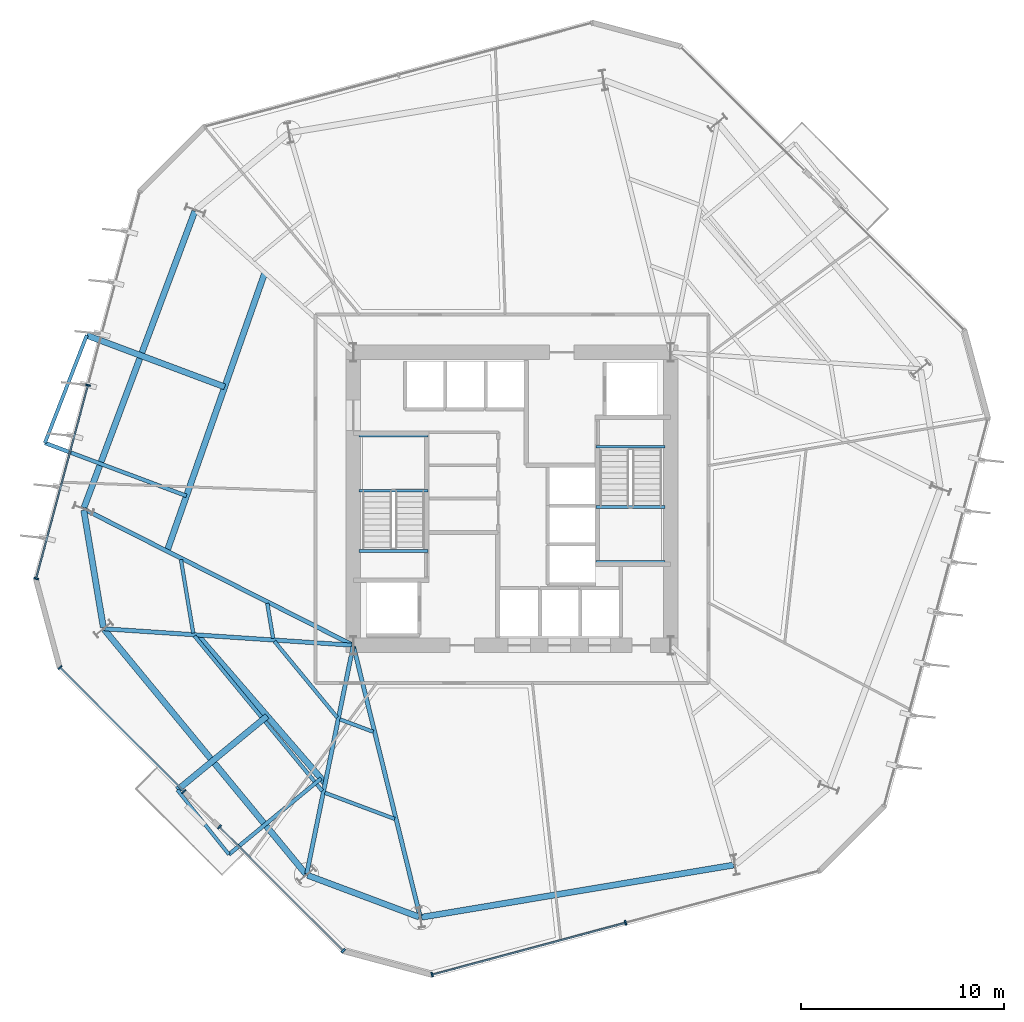
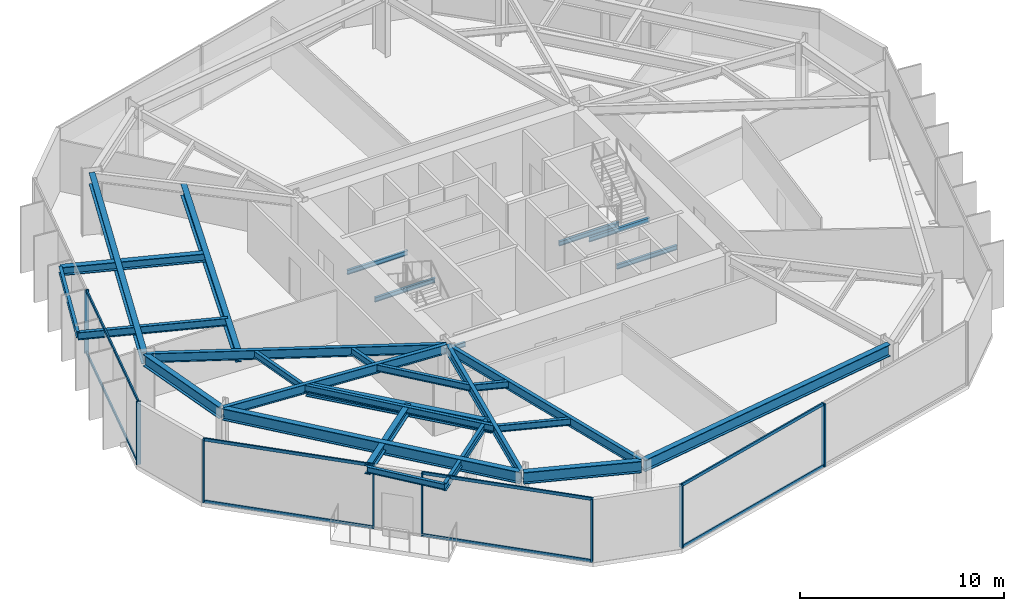
# One storey, part 2 of 10: 29 beams, 16 members, 4 elements without a shape of their own.
"""IFC4 building model written with IfcOpenShell, lengths in metres."""

from ifc_helpers import new_model, si_unit, direction, frame, origin, origin_2d, place, context, subcontext, project, spatial, rectangle, i_section, extrude, material, layer, layer_set, material_profile, profile_set, type_object, element, aggregate, save


model = new_model("IFC4")

# Units and contexts
model_context = context("Model", 3, precision=1e-05, world=origin(), true_north=direction((0.0, 1.0)))
body_context = subcontext(model_context, "Body", "Model", "MODEL_VIEW")
ifc_project = project(units=[si_unit("LENGTHUNIT", "METRE"), si_unit("AREAUNIT", "SQUARE_METRE"), si_unit("VOLUMEUNIT", "CUBIC_METRE"), si_unit("PLANEANGLEUNIT", "RADIAN"), si_unit("MASSUNIT", "GRAM", prefix="KILO")], contexts=[model_context])

# Site, building, storey
site_placement = place(None, origin())
site = spatial("IfcSite", under=ifc_project, at=site_placement, CompositionType="ELEMENT")
building_placement = place(site_placement, origin())
building = spatial("IfcBuilding", under=site, at=building_placement, Name="Kranzbogen Civic Tower", CompositionType="ELEMENT")
storey_placement = place(building_placement, frame((0.0, 0.0, 80.0)))
storey = spatial("IfcBuildingStorey", under=building, at=storey_placement, Name="L19", CompositionType="ELEMENT", Elevation=80.0)

# Beams
ifc_material_1 = material(Name="Steel S355", Category="steel")
ifc_material_profile_1 = material_profile(ifc_material_1, i_section(OverallWidth=0.18994140625, OverallDepth=0.449951171875, WebThickness=0.009521484375, FlangeThickness=0.0146484375, at=origin_2d()), Name="IPE 450")
ifc_profile_set_1 = profile_set([ifc_material_profile_1], Name="Steel S355")
beam_type_1 = type_object("IfcBeamType", Name="Braced Terrace Edge Beam IPE 450", PredefinedType="BEAM", material=ifc_profile_set_1)
beam_1_placement = place(storey_placement, frame((15.616943359375, 11.256103515625, 3.52490234375), z_axis=(-0.771650394516, -0.636046907581, 0.0), x_axis=(0.636046907581, -0.771650394516, 0.0)))
element("IfcBeam", 1, at=beam_1_placement, inside=storey, type_object=beam_type_1, Name="L20 back-spanned terrace beam L20-TB1-2", PredefinedType="BEAM", context=body_context, shape_type="SweptSolid", body=[
    extrude(i_section(OverallWidth=0.18994140625, OverallDepth=0.449951171875, WebThickness=0.009521484375, FlangeThickness=0.0146484375, at=origin_2d()), origin(), (0.0, 0.0, 1.0), 5.869384765625),
])
beam_2_placement = place(storey_placement, frame((9.0009765625, 25.14306640625, 3.4951171875), z_axis=(-0.936669194392, 0.350215391263, 0.0), x_axis=(-0.350215391263, -0.936669194392, 0.0)))
element("IfcBeam", 2, at=beam_2_placement, inside=storey, type_object=beam_type_1, Name="L20 back-spanned terrace beam L20-ST-2", PredefinedType="BEAM", context=body_context, shape_type="SweptSolid", body=[
    extrude(i_section(OverallWidth=0.18994140625, OverallDepth=0.449951171875, WebThickness=0.009521484375, FlangeThickness=0.0146484375, at=origin_2d()), origin(), (0.0, 0.0, 1.0), 7.42626953125),
])

# Curtain wall, members
ifc_material_2 = material(Name="Pale Anodised Aluminium", Category="aluminium")
ifc_layer = layer(ifc_material_2, 0.219970703125, Name="Pale Anodised Aluminium")
ifc_layer_set = layer_set([ifc_layer], Name="Pale Anodised Aluminium")
curtain_wall_type = type_object("IfcCurtainWallType", Name="Zone 1 Stick Curtain Wall System CW-02", PredefinedType="USERDEFINED", material=ifc_layer_set)
curtain_wall_1_placement = place(storey_placement, origin())
curtain_wall_1 = element("IfcCurtainWall", 3, at=curtain_wall_1_placement, inside=storey, type_object=curtain_wall_type, Name="L19 curtain wall CW-L19-F3", ObjectType="STICK CURTAIN WALL", PredefinedType="USERDEFINED")
ifc_material_profile_2 = material_profile(ifc_material_2, rectangle(XDim=0.080078125, YDim=0.239990234375, at=origin_2d()), Name="ALU-M 80x240")
ifc_profile_set_2 = profile_set([ifc_material_profile_2], Name="Pale Anodised Aluminium")
member_type_1 = type_object("IfcMemberType", Name="Curtain Wall Mullion ALU-M 80x240", PredefinedType="MULLION", material=ifc_profile_set_2)
member_1_placement = place(storey_placement, frame((4.16259765625, 30.5830078125, 0.0), z_axis=(0.0, 0.0, 1.0), x_axis=(-0.258850846459, -0.96591730458, 0.0)))
member_1 = element("IfcMember", 4, at=member_1_placement, type_object=member_type_1, Name="CW-02 mullion 2", PredefinedType="MULLION", context=body_context, shape_type="SweptSolid", body=[
    extrude(rectangle(XDim=0.080078125, YDim=0.239990234375, at=origin_2d()), origin(), (0.0, 0.0, 1.0), 3.760009765625),
])
member_2_placement = place(storey_placement, frame((1.61474609375, 21.075927734375, 0.0), z_axis=(0.0, 0.0, 1.0), x_axis=(-0.258850846459, -0.96591730458, 0.0)))
member_2 = element("IfcMember", 5, at=member_2_placement, type_object=member_type_1, Name="CW-02 mullion 3", PredefinedType="MULLION", context=body_context, shape_type="SweptSolid", body=[
    extrude(rectangle(XDim=0.080078125, YDim=0.239990234375, at=origin_2d()), origin(), (0.0, 0.0, 1.0), 3.760009765625),
])

curtain_wall_2_placement = place(storey_placement, origin())
curtain_wall_2 = element("IfcCurtainWall", 6, at=curtain_wall_2_placement, inside=storey, type_object=curtain_wall_type, Name="L19 curtain wall CW-L19-F4-S1", ObjectType="STICK CURTAIN WALL", PredefinedType="USERDEFINED")
member_3_placement = place(storey_placement, frame((2.7861328125, 16.705810546875, 0.0), z_axis=(0.0, 0.0, 1.0), x_axis=(0.707106781187, -0.707106781187, 0.0)))
member_3 = element("IfcMember", 7, at=member_3_placement, type_object=member_type_1, Name="CW-02 mullion 1", PredefinedType="MULLION", context=body_context, shape_type="SweptSolid", body=[
    extrude(rectangle(XDim=0.080078125, YDim=0.239990234375, at=origin_2d()), origin(), (0.0, 0.0, 1.0), 3.760009765625),
])
member_4_placement = place(storey_placement, frame((8.875732421875, 10.6162109375, 0.0), z_axis=(0.0, 0.0, 1.0), x_axis=(0.707106781187, -0.707106781187, 0.0)))
member_4 = element("IfcMember", 8, at=member_4_placement, type_object=member_type_1, Name="CW-02 mullion 2", PredefinedType="MULLION", context=body_context, shape_type="SweptSolid", body=[
    extrude(rectangle(XDim=0.080078125, YDim=0.239990234375, at=origin_2d()), origin(), (0.0, 0.0, 1.0), 3.760009765625),
])

curtain_wall_3_placement = place(storey_placement, origin())
curtain_wall_3 = element("IfcCurtainWall", 9, at=curtain_wall_3_placement, inside=storey, type_object=curtain_wall_type, Name="L19 curtain wall CW-L19-F4-S2", ObjectType="STICK CURTAIN WALL", PredefinedType="USERDEFINED")
member_5_placement = place(storey_placement, frame((10.6162109375, 8.875732421875, 0.0), z_axis=(0.0, 0.0, 1.0), x_axis=(0.707106781187, -0.707106781187, 0.0)))
member_5 = element("IfcMember", 10, at=member_5_placement, type_object=member_type_1, Name="CW-02 mullion 1", PredefinedType="MULLION", context=body_context, shape_type="SweptSolid", body=[
    extrude(rectangle(XDim=0.080078125, YDim=0.239990234375, at=origin_2d()), origin(), (0.0, 0.0, 1.0), 3.760009765625),
])
member_6_placement = place(storey_placement, frame((16.705810546875, 2.7861328125, 0.0), z_axis=(0.0, 0.0, 1.0), x_axis=(0.707106781187, -0.707106781187, 0.0)))
member_6 = element("IfcMember", 11, at=member_6_placement, type_object=member_type_1, Name="CW-02 mullion 2", PredefinedType="MULLION", context=body_context, shape_type="SweptSolid", body=[
    extrude(rectangle(XDim=0.080078125, YDim=0.239990234375, at=origin_2d()), origin(), (0.0, 0.0, 1.0), 3.760009765625),
])

curtain_wall_4_placement = place(storey_placement, origin())
curtain_wall_4 = element("IfcCurtainWall", 12, at=curtain_wall_4_placement, inside=storey, type_object=curtain_wall_type, Name="L19 curtain wall CW-L19-F5", ObjectType="STICK CURTAIN WALL", PredefinedType="USERDEFINED")
member_7_placement = place(storey_placement, frame((21.075927734375, 1.61474609375, 0.0), z_axis=(0.0, 0.0, 1.0), x_axis=(0.96591730458, 0.258850846459, 0.0)))
member_7 = element("IfcMember", 13, at=member_7_placement, type_object=member_type_1, Name="CW-02 mullion 1", PredefinedType="MULLION", context=body_context, shape_type="SweptSolid", body=[
    extrude(rectangle(XDim=0.080078125, YDim=0.239990234375, at=origin_2d()), origin(), (0.0, 0.0, 1.0), 3.760009765625),
])
member_8_placement = place(storey_placement, frame((30.5830078125, 4.16259765625, 0.0), z_axis=(0.0, 0.0, 1.0), x_axis=(0.96591730458, 0.258850846459, 0.0)))
member_8 = element("IfcMember", 14, at=member_8_placement, type_object=member_type_1, Name="CW-02 mullion 2", PredefinedType="MULLION", context=body_context, shape_type="SweptSolid", body=[
    extrude(rectangle(XDim=0.080078125, YDim=0.239990234375, at=origin_2d()), origin(), (0.0, 0.0, 1.0), 3.760009765625),
])

# Member
ifc_material_profile_3 = material_profile(ifc_material_2, rectangle(XDim=0.080078125, YDim=0.179931640625, at=origin_2d()), Name="ALU-T 80x180")
ifc_profile_set_3 = profile_set([ifc_material_profile_3], Name="Pale Anodised Aluminium")
member_type_2 = type_object("IfcMemberType", Name="Curtain Wall Transom ALU-T 80x180", PredefinedType="USERDEFINED", material=ifc_profile_set_3)
member_9_placement = place(storey_placement, frame((4.15478515625, 30.553955078125, 0.030029296875), z_axis=(-0.258855426036, -0.965916077313, 0.0), x_axis=(0.965916077313, -0.258855426036, 0.0)))
member_9 = element("IfcMember", 15, at=member_9_placement, type_object=member_type_2, Name="CW-02 transom 2.1", ObjectType="TRANSOM", PredefinedType="USERDEFINED", context=body_context, shape_type="SweptSolid", body=[
    extrude(rectangle(XDim=0.080078125, YDim=0.179931640625, at=origin_2d()), origin(), (0.0, 0.0, 1.0), 9.782470703125),
])

member_10_placement = place(storey_placement, frame((4.15478515625, 30.553955078125, 3.72998046875), z_axis=(-0.258855426036, -0.965916077313, 0.0), x_axis=(0.965916077313, -0.258855426036, 0.0)))
member_10 = element("IfcMember", 16, at=member_10_placement, type_object=member_type_2, Name="CW-02 transom 2.2", ObjectType="TRANSOM", PredefinedType="USERDEFINED", context=body_context, shape_type="SweptSolid", body=[
    extrude(rectangle(XDim=0.080078125, YDim=0.179931640625, at=origin_2d()), origin(), (0.0, 0.0, 1.0), 9.782470703125),
])

aggregate(curtain_wall_1, [member_1, member_2, member_9, member_10])

member_11_placement = place(storey_placement, frame((2.807373046875, 16.6845703125, 0.030029296875), z_axis=(0.707106781187, -0.707106781187, 0.0), x_axis=(0.707106781187, 0.707106781187, 0.0)))
member_11 = element("IfcMember", 17, at=member_11_placement, type_object=member_type_2, Name="CW-02 transom 1.1", ObjectType="TRANSOM", PredefinedType="USERDEFINED", context=body_context, shape_type="SweptSolid", body=[
    extrude(rectangle(XDim=0.080078125, YDim=0.179931640625, at=origin_2d()), origin(), (0.0, 0.0, 1.0), 8.552001953125),
])

member_12_placement = place(storey_placement, frame((2.807373046875, 16.6845703125, 3.72998046875), z_axis=(0.707106781187, -0.707106781187, 0.0), x_axis=(0.707106781187, 0.707106781187, 0.0)))
member_12 = element("IfcMember", 18, at=member_12_placement, type_object=member_type_2, Name="CW-02 transom 1.2", ObjectType="TRANSOM", PredefinedType="USERDEFINED", context=body_context, shape_type="SweptSolid", body=[
    extrude(rectangle(XDim=0.080078125, YDim=0.179931640625, at=origin_2d()), origin(), (0.0, 0.0, 1.0), 8.552001953125),
])

aggregate(curtain_wall_2, [member_3, member_4, member_11, member_12])

member_13_placement = place(storey_placement, frame((10.637451171875, 8.8544921875, 0.030029296875), z_axis=(0.707106781187, -0.707106781187, 0.0), x_axis=(0.707106781187, 0.707106781187, 0.0)))
member_13 = element("IfcMember", 19, at=member_13_placement, type_object=member_type_2, Name="CW-02 transom 1.1", ObjectType="TRANSOM", PredefinedType="USERDEFINED", context=body_context, shape_type="SweptSolid", body=[
    extrude(rectangle(XDim=0.080078125, YDim=0.179931640625, at=origin_2d()), origin(), (0.0, 0.0, 1.0), 8.552001953125),
])

member_14_placement = place(storey_placement, frame((10.637451171875, 8.8544921875, 3.72998046875), z_axis=(0.707106781187, -0.707106781187, 0.0), x_axis=(0.707106781187, 0.707106781187, 0.0)))
member_14 = element("IfcMember", 20, at=member_14_placement, type_object=member_type_2, Name="CW-02 transom 1.2", ObjectType="TRANSOM", PredefinedType="USERDEFINED", context=body_context, shape_type="SweptSolid", body=[
    extrude(rectangle(XDim=0.080078125, YDim=0.179931640625, at=origin_2d()), origin(), (0.0, 0.0, 1.0), 8.552001953125),
])

aggregate(curtain_wall_3, [member_5, member_6, member_13, member_14])

member_15_placement = place(storey_placement, frame((21.10498046875, 1.62255859375, 0.030029296875), z_axis=(0.965916077313, 0.258855426036, 0.0), x_axis=(-0.258855426036, 0.965916077313, 0.0)))
member_15 = element("IfcMember", 21, at=member_15_placement, type_object=member_type_2, Name="CW-02 transom 1.1", ObjectType="TRANSOM", PredefinedType="USERDEFINED", context=body_context, shape_type="SweptSolid", body=[
    extrude(rectangle(XDim=0.080078125, YDim=0.179931640625, at=origin_2d()), origin(), (0.0, 0.0, 1.0), 9.782470703125),
])

member_16_placement = place(storey_placement, frame((21.10498046875, 1.62255859375, 3.72998046875), z_axis=(0.965916077313, 0.258855426036, 0.0), x_axis=(-0.258855426036, 0.965916077313, 0.0)))
member_16 = element("IfcMember", 22, at=member_16_placement, type_object=member_type_2, Name="CW-02 transom 1.2", ObjectType="TRANSOM", PredefinedType="USERDEFINED", context=body_context, shape_type="SweptSolid", body=[
    extrude(rectangle(XDim=0.080078125, YDim=0.179931640625, at=origin_2d()), origin(), (0.0, 0.0, 1.0), 9.782470703125),
])

aggregate(curtain_wall_4, [member_7, member_8, member_15, member_16])

# Beams
ifc_material_profile_4 = material_profile(ifc_material_1, i_section(OverallWidth=0.300048828125, OverallDepth=0.5, WebThickness=0.014404296875, FlangeThickness=0.028076171875, at=origin_2d()), Name="HEB 500")
ifc_profile_set_4 = profile_set([ifc_material_profile_4], Name="Steel S355")
beam_type_2 = type_object("IfcBeamType", Name="Perimeter Tube Spandrel Beam HEB 500", PredefinedType="SPANDREL", material=ifc_profile_set_4)
beam_3_placement = place(storey_placement, frame((12.965087890625, 14.323974609375, 3.5), z_axis=(-0.771608176497, -0.636098122904, 0.0), x_axis=(0.636098122904, -0.771608176497, 0.0)))
element("IfcBeam", 23, at=beam_3_placement, inside=storey, type_object=beam_type_2, Name="L20 back-spanned terrace beam L20-TB1-1", PredefinedType="SPANDREL", context=body_context, shape_type="SweptSolid", body=[
    extrude(i_section(OverallWidth=0.300048828125, OverallDepth=0.5, WebThickness=0.014404296875, FlangeThickness=0.028076171875, at=origin_2d()), origin(), (0.0, 0.0, 1.0), 5.712890625),
])
beam_4_placement = place(storey_placement, frame((10.881103515625, 30.4990234375, 3.469970703125), z_axis=(-0.93665731543, 0.350247160518, 0.0), x_axis=(-0.350247160518, -0.93665731543, 0.0)))
element("IfcBeam", 24, at=beam_4_placement, inside=storey, type_object=beam_type_2, Name="L20 back-spanned terrace beam L20-ST-1", PredefinedType="SPANDREL", context=body_context, shape_type="SweptSolid", body=[
    extrude(i_section(OverallWidth=0.300048828125, OverallDepth=0.5, WebThickness=0.014404296875, FlangeThickness=0.028076171875, at=origin_2d()), origin(), (0.0, 0.0, 1.0), 7.237548828125),
])
ifc_material_profile_5 = material_profile(ifc_material_1, i_section(OverallWidth=0.300048828125, OverallDepth=0.699951171875, WebThickness=0.01708984375, FlangeThickness=0.031982421875, at=origin_2d()), Name="HEB 700")
ifc_profile_set_5 = profile_set([ifc_material_profile_5], Name="Steel S355")
beam_type_3 = type_object("IfcBeamType", Name="Perimeter Tube Spandrel Beam HEB 700", PredefinedType="SPANDREL", material=ifc_profile_set_5)
beam_5_placement = place(storey_placement, frame((3.952880859375, 24.445068359375, 3.409912109375), z_axis=(0.164913116942, -0.986308097838, 0.0), x_axis=(0.986308097838, 0.164913116942, 0.0)))
element("IfcBeam", 25, at=beam_5_placement, inside=storey, type_object=beam_type_3, Name="L19 perimeter spandrel beam 01", PredefinedType="SPANDREL", context=body_context, shape_type="SweptSolid", body=[
    extrude(i_section(OverallWidth=0.300048828125, OverallDepth=0.699951171875, WebThickness=0.01708984375, FlangeThickness=0.031982421875, at=origin_2d()), origin(), (0.0, 0.0, 1.0), 5.85205078125),
])
beam_6_placement = place(storey_placement, frame((4.966064453125, 18.568115234375, 3.409912109375), z_axis=(0.636074572579, -0.771627590304, 0.0), x_axis=(0.771627590304, 0.636074572579, 0.0)))
element("IfcBeam", 26, at=beam_6_placement, inside=storey, type_object=beam_type_3, Name="L19 perimeter spandrel beam 02", PredefinedType="SPANDREL", context=body_context, shape_type="SweptSolid", body=[
    extrude(i_section(OverallWidth=0.300048828125, OverallDepth=0.699951171875, WebThickness=0.01708984375, FlangeThickness=0.031982421875, at=origin_2d()), origin(), (0.0, 0.0, 1.0), 15.5595703125),
])
beam_7_placement = place(storey_placement, frame((14.95703125, 6.4951171875, 3.409912109375), z_axis=(0.936647646965, -0.350273015568, 0.0), x_axis=(0.350273015568, 0.936647646965, 0.0)))
element("IfcBeam", 27, at=beam_7_placement, inside=storey, type_object=beam_type_3, Name="L19 perimeter spandrel beam 03", PredefinedType="SPANDREL", context=body_context, shape_type="SweptSolid", body=[
    extrude(i_section(OverallWidth=0.300048828125, OverallDepth=0.699951171875, WebThickness=0.01708984375, FlangeThickness=0.031982421875, at=origin_2d()), origin(), (0.0, 0.0, 1.0), 5.852783203125),
])
beam_8_placement = place(storey_placement, frame((20.553955078125, 4.43408203125, 3.409912109375), z_axis=(0.986285563243, 0.165047834697, 0.0), x_axis=(-0.165047834697, 0.986285563243, 0.0)))
element("IfcBeam", 28, at=beam_8_placement, inside=storey, type_object=beam_type_3, Name="L19 perimeter spandrel beam 04", PredefinedType="SPANDREL", context=body_context, shape_type="SweptSolid", body=[
    extrude(i_section(OverallWidth=0.300048828125, OverallDepth=0.699951171875, WebThickness=0.01708984375, FlangeThickness=0.031982421875, at=origin_2d()), origin(), (0.0, 0.0, 1.0), 15.558349609375),
])
beam_9_placement = place(storey_placement, frame((9.412109375, 39.133056640625, 3.409912109375), z_axis=(-0.350172267932, -0.936685316833, 0.0), x_axis=(0.936685316833, -0.350172267932, 0.0)))
element("IfcBeam", 29, at=beam_9_placement, inside=storey, type_object=beam_type_3, Name="L19 perimeter spandrel beam 12", PredefinedType="SPANDREL", context=body_context, shape_type="SweptSolid", body=[
    extrude(i_section(OverallWidth=0.300048828125, OverallDepth=0.699951171875, WebThickness=0.01708984375, FlangeThickness=0.031982421875, at=origin_2d()), origin(), (0.0, 0.0, 1.0), 15.55810546875),
])
beam_10_placement = place(storey_placement, frame((9.51806640625, 18.31005859375, 3.39990234375), z_axis=(0.654072384898, -0.75643196344, 0.0), x_axis=(0.75643196344, 0.654072384898, 0.0)))
element("IfcBeam", 30, at=beam_10_placement, inside=storey, type_object=beam_type_3, Name="L20 balcony back-span header girder L20-TB1", PredefinedType="SPANDREL", context=body_context, shape_type="SweptSolid", body=[
    extrude(i_section(OverallWidth=0.300048828125, OverallDepth=0.699951171875, WebThickness=0.01708984375, FlangeThickness=0.031982421875, at=origin_2d()), origin(), (0.0, 0.0, 1.0), 9.633544921875),
])
beam_11_placement = place(storey_placement, frame((12.85205078125, 36.112060546875, 3.3701171875), z_axis=(-0.331242591506, -0.943545624531, 0.0), x_axis=(0.943545624531, -0.331242591506, 0.0)))
element("IfcBeam", 31, at=beam_11_placement, inside=storey, type_object=beam_type_3, Name="L20 balcony back-span header girder L20-ST", PredefinedType="SPANDREL", context=body_context, shape_type="SweptSolid", body=[
    extrude(i_section(OverallWidth=0.300048828125, OverallDepth=0.699951171875, WebThickness=0.01708984375, FlangeThickness=0.031982421875, at=origin_2d()), origin(), (0.0, 0.0, 1.0), 14.5029296875),
])
ifc_material_profile_6 = material_profile(ifc_material_1, i_section(OverallWidth=0.2099609375, OverallDepth=0.550048828125, WebThickness=0.010986328125, FlangeThickness=0.01708984375, at=origin_2d()), Name="IPE 550")
ifc_profile_set_6 = profile_set([ifc_material_profile_6], Name="Steel S355")
beam_type_4 = type_object("IfcBeamType", Name="Radial Tower Floor Girder IPE 550", PredefinedType="BEAM", material=ifc_profile_set_6)
beam_12_placement = place(storey_placement, frame((3.9970703125, 24.47705078125, 3.485107421875), z_axis=(0.892363219254, -0.451317942168, 0.0), x_axis=(0.451317942168, 0.892363219254, 0.0)))
element("IfcBeam", 32, at=beam_12_placement, inside=storey, type_object=beam_type_4, Name="L19 radial floor girder 01", PredefinedType="BEAM", context=body_context, shape_type="SweptSolid", body=[
    extrude(i_section(OverallWidth=0.2099609375, OverallDepth=0.550048828125, WebThickness=0.010986328125, FlangeThickness=0.01708984375, at=origin_2d()), origin(), (0.0, 0.0, 1.0), 14.73486328125),
])
beam_13_placement = place(storey_placement, frame((4.988037109375, 18.610107421875, 3.485107421875), z_axis=(0.99780674843, -0.066194356156, 0.0), x_axis=(0.066194356156, 0.99780674843, 0.0)))
element("IfcBeam", 33, at=beam_13_placement, inside=storey, type_object=beam_type_4, Name="L19 radial floor girder 02", PredefinedType="BEAM", context=body_context, shape_type="SweptSolid", body=[
    extrude(i_section(OverallWidth=0.2099609375, OverallDepth=0.550048828125, WebThickness=0.010986328125, FlangeThickness=0.01708984375, at=origin_2d()), origin(), (0.0, 0.0, 1.0), 12.178466796875),
])
beam_14_placement = place(storey_placement, frame((14.9130859375, 6.574951171875, 3.485107421875), z_axis=(0.199633433694, 0.979870650725, 0.0), x_axis=(-0.979870650725, 0.199633433694, 0.0)))
element("IfcBeam", 34, at=beam_14_placement, inside=storey, type_object=beam_type_4, Name="L19 radial floor girder 03", PredefinedType="BEAM", context=body_context, shape_type="SweptSolid", body=[
    extrude(i_section(OverallWidth=0.2099609375, OverallDepth=0.550048828125, WebThickness=0.010986328125, FlangeThickness=0.01708984375, at=origin_2d()), origin(), (0.0, 0.0, 1.0), 11.3955078125),
])
beam_15_placement = place(storey_placement, frame((20.48095703125, 4.48193359375, 3.485107421875), z_axis=(-0.239215348776, 0.970966537482, 0.0), x_axis=(-0.970966537482, -0.239215348776, 0.0)))
element("IfcBeam", 35, at=beam_15_placement, inside=storey, type_object=beam_type_4, Name="L19 radial floor girder 04", PredefinedType="BEAM", context=body_context, shape_type="SweptSolid", body=[
    extrude(i_section(OverallWidth=0.2099609375, OverallDepth=0.550048828125, WebThickness=0.010986328125, FlangeThickness=0.01708984375, at=origin_2d()), origin(), (0.0, 0.0, 1.0), 13.656494140625),
])
ifc_material_profile_7 = material_profile(ifc_material_1, i_section(OverallWidth=0.169921875, OverallDepth=0.360107421875, WebThickness=0.008056640625, FlangeThickness=0.0126953125, at=origin_2d()), Name="IPE 360")
ifc_profile_set_7 = profile_set([ifc_material_profile_7], Name="Steel S355")
beam_type_5 = type_object("IfcBeamType", Name="Secondary Composite Floor Joist IPE 360", PredefinedType="JOIST", material=ifc_profile_set_7)
beam_16_placement = place(storey_placement, frame((8.556884765625, 10.68994140625, 3.570068359375), z_axis=(0.624305740002, -0.781180096393, 0.0), x_axis=(0.781180096393, 0.624305740002, 0.0)))
element("IfcBeam", 36, at=beam_16_placement, inside=storey, type_object=beam_type_5, Name="L20 terrace outer edge trimmer L20-TB1", PredefinedType="JOIST", context=body_context, shape_type="SweptSolid", body=[
    extrude(i_section(OverallWidth=0.169921875, OverallDepth=0.360107421875, WebThickness=0.008056640625, FlangeThickness=0.0126953125, at=origin_2d()), origin(), (0.0, 0.0, 1.0), 4.05419921875),
])
beam_17_placement = place(storey_placement, frame((4.10205078125, 33.033935546875, 3.5400390625), z_axis=(-0.362429655445, -0.932011129147, 0.0), x_axis=(0.932011129147, -0.362429655445, 0.0)))
element("IfcBeam", 37, at=beam_17_placement, inside=storey, type_object=beam_type_5, Name="L20 terrace outer edge trimmer L20-ST", PredefinedType="JOIST", context=body_context, shape_type="SweptSolid", body=[
    extrude(i_section(OverallWidth=0.169921875, OverallDepth=0.360107421875, WebThickness=0.008056640625, FlangeThickness=0.0126953125, at=origin_2d()), origin(), (0.0, 0.0, 1.0), 5.676025390625),
])
ifc_material_profile_8 = material_profile(ifc_material_1, i_section(OverallWidth=0.179931640625, OverallDepth=0.39990234375, WebThickness=0.008544921875, FlangeThickness=0.013427734375, at=origin_2d()), Name="IPE 400")
ifc_profile_set_8 = profile_set([ifc_material_profile_8], Name="Steel S355")
beam_type_6 = type_object("IfcBeamType", Name="Secondary Composite Floor Joist IPE 400", PredefinedType="JOIST", material=ifc_profile_set_8)
beam_18_placement = place(storey_placement, frame((8.72900390625, 22.011962890625, 3.56005859375), z_axis=(0.164928678379, -0.986305495802, 0.0), x_axis=(0.986305495802, 0.164928678379, 0.0)))
element("IfcBeam", 38, at=beam_18_placement, inside=storey, type_object=beam_type_6, Name="L19 secondary floor joist 1.01", PredefinedType="JOIST", context=body_context, shape_type="SweptSolid", body=[
    extrude(i_section(OverallWidth=0.179931640625, OverallDepth=0.39990234375, WebThickness=0.008544921875, FlangeThickness=0.013427734375, at=origin_2d()), origin(), (0.0, 0.0, 1.0), 3.662109375),
])
beam_19_placement = place(storey_placement, frame((12.970947265625, 19.865966796875, 3.56005859375), z_axis=(0.165077224104, -0.986280644686, 0.0), x_axis=(0.986280644686, 0.165077224104, 0.0)))
element("IfcBeam", 39, at=beam_19_placement, inside=storey, type_object=beam_type_6, Name="L19 secondary floor joist 2.01", PredefinedType="JOIST", context=body_context, shape_type="SweptSolid", body=[
    extrude(i_section(OverallWidth=0.179931640625, OverallDepth=0.39990234375, WebThickness=0.008544921875, FlangeThickness=0.013427734375, at=origin_2d()), origin(), (0.0, 0.0, 1.0), 1.7509765625),
])
beam_20_placement = place(storey_placement, frame((9.39697265625, 18.259033203125, 3.56005859375), z_axis=(0.636094561772, -0.771611112209, 0.0), x_axis=(0.771611112209, 0.636094561772, 0.0)))
element("IfcBeam", 40, at=beam_20_placement, inside=storey, type_object=beam_type_6, Name="L19 secondary floor joist 1.02", PredefinedType="JOIST", context=body_context, shape_type="SweptSolid", body=[
    extrude(i_section(OverallWidth=0.179931640625, OverallDepth=0.39990234375, WebThickness=0.008544921875, FlangeThickness=0.013427734375, at=origin_2d()), origin(), (0.0, 0.0, 1.0), 9.874267578125),
])
beam_21_placement = place(storey_placement, frame((13.323974609375, 17.9990234375, 3.56005859375), z_axis=(0.636012010413, -0.771679157818, 0.0), x_axis=(0.771679157818, 0.636012010413, 0.0)))
element("IfcBeam", 41, at=beam_21_placement, inside=storey, type_object=beam_type_6, Name="L19 secondary floor joist 2.02", PredefinedType="JOIST", context=body_context, shape_type="SweptSolid", body=[
    extrude(i_section(OverallWidth=0.179931640625, OverallDepth=0.39990234375, WebThickness=0.008544921875, FlangeThickness=0.013427734375, at=origin_2d()), origin(), (0.0, 0.0, 1.0), 4.85693359375),
])
beam_22_placement = place(storey_placement, frame((15.803955078125, 10.550048828125, 3.56005859375), z_axis=(0.936622008794, -0.350341565678, 0.0), x_axis=(0.350341565678, 0.936622008794, 0.0)))
element("IfcBeam", 42, at=beam_22_placement, inside=storey, type_object=beam_type_6, Name="L19 secondary floor joist 1.03", PredefinedType="JOIST", context=body_context, shape_type="SweptSolid", body=[
    extrude(i_section(OverallWidth=0.179931640625, OverallDepth=0.39990234375, WebThickness=0.008544921875, FlangeThickness=0.013427734375, at=origin_2d()), origin(), (0.0, 0.0, 1.0), 3.662109375),
])
beam_23_placement = place(storey_placement, frame((16.5390625, 14.160888671875, 3.56005859375), z_axis=(0.936735458815, -0.350038112495, 0.0), x_axis=(0.350038112495, 0.936735458815, 0.0)))
element("IfcBeam", 43, at=beam_23_placement, inside=storey, type_object=beam_type_6, Name="L19 secondary floor joist 2.03", PredefinedType="JOIST", context=body_context, shape_type="SweptSolid", body=[
    extrude(i_section(OverallWidth=0.179931640625, OverallDepth=0.39990234375, WebThickness=0.008544921875, FlangeThickness=0.013427734375, at=origin_2d()), origin(), (0.0, 0.0, 1.0), 1.750732421875),
])
ifc_material_profile_9 = material_profile(ifc_material_1, i_section(OverallWidth=0.135009765625, OverallDepth=0.27001953125, WebThickness=0.006591796875, FlangeThickness=0.01025390625, at=origin_2d()), Name="IPE 270")
ifc_profile_set_9 = profile_set([ifc_material_profile_9], Name="Steel S355")
beam_type_7 = type_object("IfcBeamType", Name="Stair Landing Support Beam IPE 270", PredefinedType="JOIST", material=ifc_profile_set_9)
for number, where, z_axis, x_axis, name in (
    (44, (20.8798828125, 22.43994140625, -0.375), (-1.0, 0.0, 0.0), (0.0, -1.0, 0.0), "L19 ST-T1 stair floor header beam"),
    (45, (20.8798828125, 25.39990234375, 1.6650390625), (-1.0, 0.0, 0.0), (0.0, -1.0, 0.0), "L19 ST-T1 landing support beam 1.1"),
    (46, (20.8798828125, 28.10009765625, 1.6650390625), (-1.0, 0.0, 0.0), (0.0, -1.0, 0.0), "L19 ST-T1 landing support beam 1.2"),
    (47, (29.1201171875, 27.56005859375, -0.375), (1.0, 0.0, 0.0), (0.0, 1.0, 0.0), "L19 ST-T2 stair floor header beam"),
    (48, (29.1201171875, 24.60009765625, 1.6650390625), (1.0, 0.0, 0.0), (0.0, 1.0, 0.0), "L19 ST-T2 landing support beam 1.1"),
    (49, (29.1201171875, 21.89990234375, 1.6650390625), (1.0, 0.0, 0.0), (0.0, 1.0, 0.0), "L19 ST-T2 landing support beam 1.2"),
):
    element("IfcBeam", number, at=place(storey_placement, frame(where, z_axis=z_axis, x_axis=x_axis)), inside=storey, type_object=beam_type_7, Name=name, PredefinedType="JOIST", context=body_context, shape_type="SweptSolid", body=[
        extrude(i_section(OverallWidth=0.135009765625, OverallDepth=0.27001953125, WebThickness=0.006591796875, FlangeThickness=0.01025390625, at=origin_2d()), origin(), (0.0, 0.0, 1.0), 3.409912109375),
    ])

save(model, "model.ifc")
